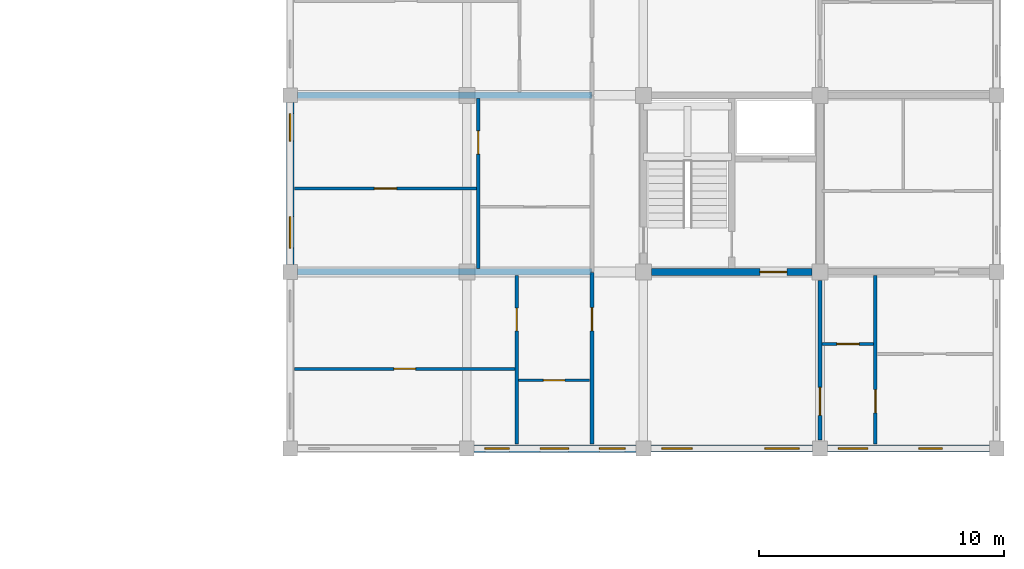
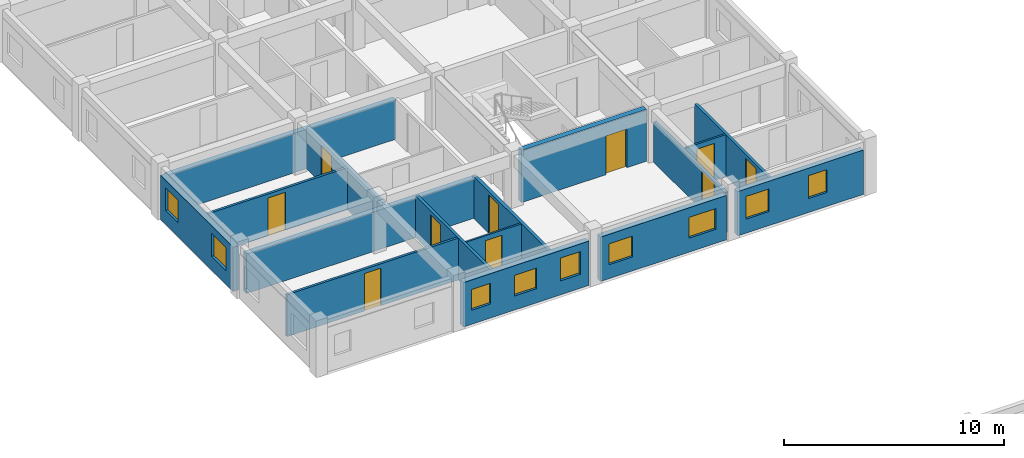
# One storey, part 29 of 50: 16 walls, 10 doors, 9 windows, 19 openings.
"""IFC4 building model written with IfcOpenShell, lengths in metres."""

from ifc_helpers import new_model, si_unit, direction, frame, frame_2d, origin, place, context, subcontext, project, spatial, rectangle, extrude, material, layer, layer_set, type_object, element, fill, save


model = new_model("IFC4")

# Units and contexts
model_context = context("Model", 3, precision=1e-05, world=origin(), true_north=direction((0.0, 1.0)))
body_context = subcontext(model_context, "Body", "Model", "MODEL_VIEW")
ifc_project = project(units=[si_unit("LENGTHUNIT", "METRE"), si_unit("AREAUNIT", "SQUARE_METRE"), si_unit("VOLUMEUNIT", "CUBIC_METRE"), si_unit("PLANEANGLEUNIT", "RADIAN"), si_unit("MASSUNIT", "GRAM", prefix="KILO"), si_unit("THERMODYNAMICTEMPERATUREUNIT", "KELVIN"), si_unit("POWERUNIT", "WATT")], contexts=[model_context])

# Site, building, storey
site_placement = place(None, origin())
site = spatial("IfcSite", under=ifc_project, at=site_placement, CompositionType="ELEMENT")
building_placement = place(site_placement, origin())
building = spatial("IfcBuilding", under=site, at=building_placement, Name="Tavuni Mirador Residences", CompositionType="ELEMENT")
storey_placement = place(building_placement, frame((0.0, 0.0, 4.5)))
storey = spatial("IfcBuildingStorey", under=building, at=storey_placement, Name="L01", CompositionType="ELEMENT", Elevation=4.5)

# Wall, opening, door
ifc_material_1 = material(Name="Precast concrete C40/50", Category="concrete")
ifc_layer_1 = layer(ifc_material_1, 0.280029296875, Name="Precast concrete C40/50", Category="concrete")
ifc_layer_set_1 = layer_set([ifc_layer_1], Name="Precast concrete C40/50")
wall_type_1 = type_object("IfcWallType", Name="WT-COR280", PredefinedType="SHEAR", material=ifc_layer_set_1)
wall_1_placement = place(storey_placement, frame((104.72509765625, 93.60009765625, 0.0), z_axis=(0.0, 0.0, 1.0), x_axis=(1.0, 0.0, 0.0)))
wall_1 = element("IfcWall", 1, at=wall_1_placement, inside=storey, type_object=wall_type_1, Name="CWALL-C7-L01-SS", PredefinedType="SHEAR", context=body_context, shape_type="SweptSolid", body=[
    extrude(rectangle(XDim=6.5498046875, YDim=0.280029296875, at=frame_2d((3.27490234375, 0.0))), origin(), (0.0, 0.0, 1.0), 2.889892578125),
])
opening_1_placement = place(wall_1_placement, frame((4.425048828125, 0.0, 0.0)))
opening_1 = element("IfcOpeningElement", 2, at=opening_1_placement, cuts=wall_1, Name="Opening D-02", PredefinedType="OPENING", context=body_context, shape_type="SweptSolid", body=[
    extrude(rectangle(XDim=1.10009765625, YDim=2.14990234375, at=frame_2d((0.550048828125, 1.074951171875))), frame((0.0, 0.14990234375, 0.0), z_axis=(0.0, -1.0, 0.0), x_axis=(1.0, 0.0, 0.0)), (0.0, 0.0, 1.0), 0.300048828125),
])
ifc_material_2 = material(Name="Solid core iroko timber", Category="wood")
door_type_1 = type_object("IfcDoorType", Name="DT-LOB1100", OperationType="NOTDEFINED", PredefinedType="DOOR", material=ifc_material_2)
door_1_placement = place(opening_1_placement, frame((1.10009765625, 0.0, 0.0), z_axis=(0.0, 0.0, 1.0), x_axis=(-1.0, 0.0, 0.0)))
door_1 = element("IfcDoor", 3, at=door_1_placement, inside=storey, type_object=door_type_1, Name="DR-2270", OperationType="SINGLE_SWING_RIGHT", OverallHeight=2.14990234375, OverallWidth=1.10009765625, PredefinedType="DOOR", context=body_context, shape_type="SweptSolid", body=[
    extrude(rectangle(XDim=1.10009765625, YDim=2.14990234375, at=frame_2d((0.550048828125, 1.074951171875))), frame((0.0, 0.02490234375, 0.0), z_axis=(0.0, -1.0, 0.0), x_axis=(1.0, 0.0, 0.0)), (0.0, 0.0, 1.0), 0.050048828125),
])
fill(opening_1, door_1)

ifc_layer_2 = layer(ifc_material_1, 0.1650390625, Name="Precast concrete C40/50", Category="concrete")
ifc_layer_set_2 = layer_set([ifc_layer_2], Name="Precast concrete C40/50")
wall_type_2 = type_object("IfcWallType", Name="WT-CORR165", PredefinedType="PARTITIONING", material=ifc_layer_set_2)
wall_2_placement = place(storey_placement, frame((102.300048828125, 86.574951171875, 0.0), z_axis=(0.0, 0.0, 1.0), x_axis=(0.0, 1.0, 0.0)))
wall_2 = element("IfcWall", 4, at=wall_2_placement, inside=storey, type_object=wall_type_2, Name="CORW-BLK-D-L01-0-00", PredefinedType="PARTITIONING", context=body_context, shape_type="SweptSolid", body=[
    extrude(rectangle(XDim=7.005126953125, YDim=0.1650390625, at=frame_2d((3.50244140625, 0.0))), origin(), (0.0, 0.0, 1.0), 2.324951171875),
])
opening_2_placement = place(wall_2_placement, frame((4.625, 0.0, 0.0)))
opening_2 = element("IfcOpeningElement", 5, at=opening_2_placement, cuts=wall_2, Name="Opening D-19", PredefinedType="OPENING", context=body_context, shape_type="SweptSolid", body=[
    extrude(rectangle(XDim=0.93994140625, YDim=2.1201171875, at=frame_2d((0.469970703125, 1.06005859375))), frame((0.0, 0.092529296875, 0.0), z_axis=(0.0, -1.0, 0.0), x_axis=(1.0, 0.0, 0.0)), (0.0, 0.0, 1.0), 0.18505859375),
])
door_type_2 = type_object("IfcDoorType", Name="DT-FD60-940", OperationType="NOTDEFINED", PredefinedType="DOOR", material=ifc_material_2)
door_2_placement = place(opening_2_placement, origin())
door_2 = element("IfcDoor", 6, at=door_2_placement, inside=storey, type_object=door_type_2, Name="DR-2821", OperationType="SINGLE_SWING_RIGHT", OverallHeight=2.1201171875, OverallWidth=0.93994140625, PredefinedType="DOOR", context=body_context, shape_type="SweptSolid", body=[
    extrude(rectangle(XDim=0.93994140625, YDim=2.1201171875, at=frame_2d((0.469970703125, 1.06005859375))), frame((0.0, 0.02490234375, 0.0), z_axis=(0.0, -1.0, 0.0), x_axis=(1.0, 0.0, 0.0)), (0.0, 0.0, 1.0), 0.050048828125),
])
fill(opening_2, door_2)

wall_3_placement = place(storey_placement, frame((111.60009765625, 86.75, 0.0), z_axis=(0.0, 0.0, 1.0), x_axis=(0.0, 1.0, 0.0)))
wall_3 = element("IfcWall", 7, at=wall_3_placement, inside=storey, type_object=wall_type_2, Name="CORW-BLK-D-L01-1-00", PredefinedType="PARTITIONING", context=body_context, shape_type="SweptSolid", body=[
    extrude(rectangle(XDim=6.5, YDim=0.1650390625, at=frame_2d((3.25, 0.0))), origin(), (0.0, 0.0, 1.0), 2.239990234375),
])
opening_3_placement = place(wall_3_placement, frame((1.0, 0.0, 0.0)))
opening_3 = element("IfcOpeningElement", 8, at=opening_3_placement, cuts=wall_3, Name="Opening D-20", PredefinedType="OPENING", context=body_context, shape_type="SweptSolid", body=[
    extrude(rectangle(XDim=1.139892578125, YDim=2.179931640625, at=frame_2d((0.56982421875, 1.08984375))), frame((0.0, 0.092529296875, 0.0), z_axis=(0.0, -1.0, 0.0), x_axis=(1.0, 0.0, 0.0)), (0.0, 0.0, 1.0), 0.18505859375),
])
door_type_3 = type_object("IfcDoorType", Name="DT-FD60-1140", OperationType="NOTDEFINED", PredefinedType="DOOR", material=ifc_material_2)
door_3_placement = place(opening_3_placement, origin())
door_3 = element("IfcDoor", 9, at=door_3_placement, inside=storey, type_object=door_type_3, Name="DR-2828", OperationType="SINGLE_SWING_LEFT", OverallHeight=2.179931640625, OverallWidth=1.139892578125, PredefinedType="DOOR", context=body_context, shape_type="SweptSolid", body=[
    extrude(rectangle(XDim=1.139892578125, YDim=2.179931640625, at=frame_2d((0.56982421875, 1.08984375))), frame((0.0, 0.02490234375, 0.0), z_axis=(0.0, -1.0, 0.0), x_axis=(1.0, 0.0, 0.0)), (0.0, 0.0, 1.0), 0.050048828125),
])
fill(opening_3, door_3)

# Wall, openings, windows
ifc_material_3 = material(Name="Sgraffito lime-rendered precast concrete C40/50", Category="concrete")
ifc_layer_3 = layer(ifc_material_3, 0.27490234375, Name="Sgraffito lime-rendered precast concrete C40/50", Category="concrete")
ifc_layer_set_3 = layer_set([ifc_layer_3], Name="Sgraffito lime-rendered precast concrete C40/50")
wall_type_3 = type_object("IfcWallType", Name="WT-EXT-PC275", PredefinedType="SOLIDWALL", material=ifc_layer_set_3)
wall_4_placement = place(storey_placement, frame((111.89990234375, 86.39990234375, 0.0), z_axis=(0.0, 0.0, 1.0), x_axis=(1.0, 0.0, 0.0)))
wall_4 = element("IfcWall", 10, at=wall_4_placement, inside=storey, type_object=wall_type_3, Name="EW-BLK-D-L01-S03", PredefinedType="SOLIDWALL", context=body_context, shape_type="SweptSolid", body=[
    extrude(rectangle(XDim=6.60009765625, YDim=0.27490234375, at=frame_2d((3.300048828125, 0.0))), origin(), (0.0, 0.0, 1.0), 2.4599609375),
])
opening_4_placement = place(wall_4_placement, frame((0.449951171875, 0.0, 0.780029296875)))
opening_4 = element("IfcOpeningElement", 11, at=opening_4_placement, cuts=wall_4, Name="Opening WN-13", PredefinedType="OPENING", context=body_context, shape_type="SweptSolid", body=[
    extrude(rectangle(XDim=1.199951171875, YDim=1.260009765625, at=frame_2d((0.60009765625, 0.6298828125))), frame((0.0, 0.1474609375, 0.0), z_axis=(0.0, -1.0, 0.0), x_axis=(1.0, 0.0, 0.0)), (0.0, 0.0, 1.0), 0.294921875),
])
opening_5_placement = place(wall_4_placement, frame((3.72998046875, 0.0, 0.780029296875)))
opening_5 = element("IfcOpeningElement", 12, at=opening_5_placement, cuts=wall_4, Name="Opening WN-10", PredefinedType="OPENING", context=body_context, shape_type="SweptSolid", body=[
    extrude(rectangle(XDim=0.9599609375, YDim=1.260009765625, at=frame_2d((0.47998046875, 0.6298828125))), frame((0.0, 0.1474609375, 0.0), z_axis=(0.0, -1.0, 0.0), x_axis=(1.0, 0.0, 0.0)), (0.0, 0.0, 1.0), 0.294921875),
])
ifc_material_4 = material(Name="Laminated solar-control glass", Category="glass")
window_type_1 = type_object("IfcWindowType", Name="WNT-10", PartitioningType="SINGLE_PANEL", PredefinedType="WINDOW", material=ifc_material_4)
window_1_placement = place(opening_5_placement, origin())
window_1 = element("IfcWindow", 13, at=window_1_placement, inside=storey, type_object=window_type_1, Name="WIN-1447", OverallHeight=1.260009765625, OverallWidth=0.9599609375, PartitioningType="SINGLE_PANEL", PredefinedType="WINDOW", context=body_context, shape_type="SweptSolid", body=[
    extrude(rectangle(XDim=0.9599609375, YDim=1.260009765625, at=frame_2d((0.47998046875, 0.6298828125))), frame((0.0, 0.030029296875, 0.0), z_axis=(0.0, -1.0, 0.0), x_axis=(1.0, 0.0, 0.0)), (0.0, 0.0, 1.0), 0.06005859375),
])
fill(opening_5, window_1)
window_type_2 = type_object("IfcWindowType", Name="WNT-13", PartitioningType="SINGLE_PANEL", PredefinedType="WINDOW", material=ifc_material_4)
window_2_placement = place(opening_4_placement, origin())
window_2 = element("IfcWindow", 14, at=window_2_placement, inside=storey, type_object=window_type_2, Name="WIN-1446", OverallHeight=1.260009765625, OverallWidth=1.199951171875, PartitioningType="SINGLE_PANEL", PredefinedType="WINDOW", context=body_context, shape_type="SweptSolid", body=[
    extrude(rectangle(XDim=1.199951171875, YDim=1.260009765625, at=frame_2d((0.60009765625, 0.6298828125))), frame((0.0, 0.030029296875, 0.0), z_axis=(0.0, -1.0, 0.0), x_axis=(1.0, 0.0, 0.0)), (0.0, 0.0, 1.0), 0.06005859375),
])
fill(opening_4, window_2)

ifc_layer_4 = layer(ifc_material_3, 0.2900390625, Name="Sgraffito lime-rendered precast concrete C40/50", Category="concrete")
ifc_layer_set_4 = layer_set([ifc_layer_4], Name="Sgraffito lime-rendered precast concrete C40/50")
wall_type_4 = type_object("IfcWallType", Name="WT-EXT-PC290", PredefinedType="SOLIDWALL", material=ifc_layer_set_4)
wall_5_placement = place(storey_placement, frame((104.699951171875, 86.39990234375, 0.0), z_axis=(0.0, 0.0, 1.0), x_axis=(1.0, 0.0, 0.0)))
wall_5 = element("IfcWall", 15, at=wall_5_placement, inside=storey, type_object=wall_type_4, Name="EW-BLK-D-L01-S02", PredefinedType="SOLIDWALL", context=body_context, shape_type="SweptSolid", body=[
    extrude(rectangle(XDim=6.60009765625, YDim=0.2900390625, at=frame_2d((3.300048828125, 0.0))), origin(), (0.0, 0.0, 1.0), 2.4599609375),
])
opening_6_placement = place(wall_5_placement, frame((0.449951171875, 0.0, 0.780029296875)))
opening_6 = element("IfcOpeningElement", 16, at=opening_6_placement, cuts=wall_5, Name="Opening WN-06", PredefinedType="OPENING", context=body_context, shape_type="SweptSolid", body=[
    extrude(rectangle(XDim=1.239990234375, YDim=1.14990234375, at=frame_2d((0.6201171875, 0.574951171875))), frame((0.0, 0.155029296875, 0.0), z_axis=(0.0, -1.0, 0.0), x_axis=(1.0, 0.0, 0.0)), (0.0, 0.0, 1.0), 0.31005859375),
])
opening_7_placement = place(wall_5_placement, frame((4.64990234375, 0.0, 0.780029296875)))
opening_7 = element("IfcOpeningElement", 17, at=opening_7_placement, cuts=wall_5, Name="Opening WN-08", PredefinedType="OPENING", context=body_context, shape_type="SweptSolid", body=[
    extrude(rectangle(XDim=1.39990234375, YDim=1.14990234375, at=frame_2d((0.699951171875, 0.574951171875))), frame((0.0, 0.155029296875, 0.0), z_axis=(0.0, -1.0, 0.0), x_axis=(1.0, 0.0, 0.0)), (0.0, 0.0, 1.0), 0.31005859375),
])
window_type_3 = type_object("IfcWindowType", Name="WNT-06", PartitioningType="SINGLE_PANEL", PredefinedType="WINDOW", material=ifc_material_4)
window_3_placement = place(opening_6_placement, origin())
window_3 = element("IfcWindow", 18, at=window_3_placement, inside=storey, type_object=window_type_3, Name="WIN-1444", OverallHeight=1.14990234375, OverallWidth=1.239990234375, PartitioningType="SINGLE_PANEL", PredefinedType="WINDOW", context=body_context, shape_type="SweptSolid", body=[
    extrude(rectangle(XDim=1.239990234375, YDim=1.14990234375, at=frame_2d((0.6201171875, 0.574951171875))), frame((0.0, 0.030029296875, 0.0), z_axis=(0.0, -1.0, 0.0), x_axis=(1.0, 0.0, 0.0)), (0.0, 0.0, 1.0), 0.06005859375),
])
fill(opening_6, window_3)
window_type_4 = type_object("IfcWindowType", Name="WNT-08", PartitioningType="SINGLE_PANEL", PredefinedType="WINDOW", material=ifc_material_4)
window_4_placement = place(opening_7_placement, origin())
window_4 = element("IfcWindow", 19, at=window_4_placement, inside=storey, type_object=window_type_4, Name="WIN-1445", OverallHeight=1.14990234375, OverallWidth=1.39990234375, PartitioningType="SINGLE_PANEL", PredefinedType="WINDOW", context=body_context, shape_type="SweptSolid", body=[
    extrude(rectangle(XDim=1.39990234375, YDim=1.14990234375, at=frame_2d((0.699951171875, 0.574951171875))), frame((0.0, 0.030029296875, 0.0), z_axis=(0.0, -1.0, 0.0), x_axis=(1.0, 0.0, 0.0)), (0.0, 0.0, 1.0), 0.06005859375),
])
fill(opening_7, window_4)

ifc_layer_5 = layer(ifc_material_3, 0.304931640625, Name="Sgraffito lime-rendered precast concrete C40/50", Category="concrete")
ifc_layer_set_5 = layer_set([ifc_layer_5], Name="Sgraffito lime-rendered precast concrete C40/50")
wall_type_5 = type_object("IfcWallType", Name="WT-EXT-PC305", PredefinedType="SOLIDWALL", material=ifc_layer_set_5)
wall_6_placement = place(storey_placement, frame((97.5, 86.39990234375, 0.0), z_axis=(0.0, 0.0, 1.0), x_axis=(1.0, 0.0, 0.0)))
wall_6 = element("IfcWall", 20, at=wall_6_placement, inside=storey, type_object=wall_type_5, Name="EW-BLK-D-L01-S01", PredefinedType="SOLIDWALL", context=body_context, shape_type="SweptSolid", body=[
    extrude(rectangle(XDim=6.60009765625, YDim=0.304931640625, at=frame_2d((3.300048828125, 0.0))), origin(), (0.0, 0.0, 1.0), 2.4599609375),
])
opening_8_placement = place(wall_6_placement, frame((0.43994140625, 0.0, 0.780029296875)))
opening_8 = element("IfcOpeningElement", 21, at=opening_8_placement, cuts=wall_6, Name="Opening WN-03", PredefinedType="OPENING", context=body_context, shape_type="SweptSolid", body=[
    extrude(rectangle(XDim=1.0, YDim=1.14990234375, at=frame_2d((0.5, 0.574951171875))), frame((0.0, 0.16259765625, 0.0), z_axis=(0.0, -1.0, 0.0), x_axis=(1.0, 0.0, 0.0)), (0.0, 0.0, 1.0), 0.324951171875),
])
opening_9_placement = place(wall_6_placement, frame((2.68994140625, 0.0, 0.780029296875)))
opening_9 = element("IfcOpeningElement", 22, at=opening_9_placement, cuts=wall_6, Name="Opening WN-05", PredefinedType="OPENING", context=body_context, shape_type="SweptSolid", body=[
    extrude(rectangle(XDim=1.159912109375, YDim=1.14990234375, at=frame_2d((0.580078125, 0.574951171875))), frame((0.0, 0.16259765625, 0.0), z_axis=(0.0, -1.0, 0.0), x_axis=(1.0, 0.0, 0.0)), (0.0, 0.0, 1.0), 0.324951171875),
])
opening_10_placement = place(wall_6_placement, frame((5.110107421875, 0.0, 0.780029296875)))
opening_10 = element("IfcOpeningElement", 23, at=opening_10_placement, cuts=wall_6, Name="Opening WN-11", PredefinedType="OPENING", context=body_context, shape_type="SweptSolid", body=[
    extrude(rectangle(XDim=1.0400390625, YDim=1.260009765625, at=frame_2d((0.52001953125, 0.6298828125))), frame((0.0, 0.16259765625, 0.0), z_axis=(0.0, -1.0, 0.0), x_axis=(1.0, 0.0, 0.0)), (0.0, 0.0, 1.0), 0.324951171875),
])
window_type_5 = type_object("IfcWindowType", Name="WNT-03", PartitioningType="SINGLE_PANEL", PredefinedType="WINDOW", material=ifc_material_4)
window_5_placement = place(opening_8_placement, origin())
window_5 = element("IfcWindow", 24, at=window_5_placement, inside=storey, type_object=window_type_5, Name="WIN-1441", OverallHeight=1.14990234375, OverallWidth=1.0, PartitioningType="SINGLE_PANEL", PredefinedType="WINDOW", context=body_context, shape_type="SweptSolid", body=[
    extrude(rectangle(XDim=1.0, YDim=1.14990234375, at=frame_2d((0.5, 0.574951171875))), frame((0.0, 0.030029296875, 0.0), z_axis=(0.0, -1.0, 0.0), x_axis=(1.0, 0.0, 0.0)), (0.0, 0.0, 1.0), 0.06005859375),
])
fill(opening_8, window_5)
window_type_6 = type_object("IfcWindowType", Name="WNT-05", PartitioningType="SINGLE_PANEL", PredefinedType="WINDOW", material=ifc_material_4)
window_6_placement = place(opening_9_placement, origin())
window_6 = element("IfcWindow", 25, at=window_6_placement, inside=storey, type_object=window_type_6, Name="WIN-1442", OverallHeight=1.14990234375, OverallWidth=1.159912109375, PartitioningType="SINGLE_PANEL", PredefinedType="WINDOW", context=body_context, shape_type="SweptSolid", body=[
    extrude(rectangle(XDim=1.159912109375, YDim=1.14990234375, at=frame_2d((0.580078125, 0.574951171875))), frame((0.0, 0.030029296875, 0.0), z_axis=(0.0, -1.0, 0.0), x_axis=(1.0, 0.0, 0.0)), (0.0, 0.0, 1.0), 0.06005859375),
])
fill(opening_9, window_6)
window_type_7 = type_object("IfcWindowType", Name="WNT-11", PartitioningType="SINGLE_PANEL", PredefinedType="WINDOW", material=ifc_material_4)
window_7_placement = place(opening_10_placement, origin())
window_7 = element("IfcWindow", 26, at=window_7_placement, inside=storey, type_object=window_type_7, Name="WIN-1443", OverallHeight=1.260009765625, OverallWidth=1.0400390625, PartitioningType="SINGLE_PANEL", PredefinedType="WINDOW", context=body_context, shape_type="SweptSolid", body=[
    extrude(rectangle(XDim=1.0400390625, YDim=1.260009765625, at=frame_2d((0.52001953125, 0.6298828125))), frame((0.0, 0.030029296875, 0.0), z_axis=(0.0, -1.0, 0.0), x_axis=(1.0, 0.0, 0.0)), (0.0, 0.0, 1.0), 0.06005859375),
])
fill(opening_10, window_7)

wall_7_placement = place(storey_placement, frame((90.0, 100.5, 0.0), z_axis=(0.0, 0.0, 1.0), x_axis=(0.0, -1.0, 0.0)))
wall_7 = element("IfcWall", 27, at=wall_7_placement, inside=storey, type_object=wall_type_5, Name="EW-BLK-D-L01-W01", PredefinedType="SOLIDWALL", context=body_context, shape_type="SweptSolid", body=[
    extrude(rectangle(XDim=6.60009765625, YDim=0.304931640625, at=frame_2d((3.300048828125, 0.0))), origin(), (0.0, 0.0, 1.0), 2.4599609375),
])
opening_11_placement = place(wall_7_placement, frame((0.449951171875, 0.0, 0.780029296875)))
opening_11 = element("IfcOpeningElement", 28, at=opening_11_placement, cuts=wall_7, Name="Opening WN-12", PredefinedType="OPENING", context=body_context, shape_type="SweptSolid", body=[
    extrude(rectangle(XDim=1.1201171875, YDim=1.260009765625, at=frame_2d((0.56005859375, 0.6298828125))), frame((0.0, 0.16259765625, 0.0), z_axis=(0.0, -1.0, 0.0), x_axis=(1.0, 0.0, 0.0)), (0.0, 0.0, 1.0), 0.324951171875),
])
opening_12_placement = place(wall_7_placement, frame((4.64990234375, 0.0, 0.780029296875)))
opening_12 = element("IfcOpeningElement", 29, at=opening_12_placement, cuts=wall_7, Name="Opening WN-14", PredefinedType="OPENING", context=body_context, shape_type="SweptSolid", body=[
    extrude(rectangle(XDim=1.280029296875, YDim=1.260009765625, at=frame_2d((0.64013671875, 0.6298828125))), frame((0.0, 0.16259765625, 0.0), z_axis=(0.0, -1.0, 0.0), x_axis=(1.0, 0.0, 0.0)), (0.0, 0.0, 1.0), 0.324951171875),
])
window_type_8 = type_object("IfcWindowType", Name="WNT-12", PartitioningType="SINGLE_PANEL", PredefinedType="WINDOW", material=ifc_material_4)
window_8_placement = place(opening_11_placement, origin())
window_8 = element("IfcWindow", 30, at=window_8_placement, inside=storey, type_object=window_type_8, Name="WIN-1480", OverallHeight=1.260009765625, OverallWidth=1.1201171875, PartitioningType="SINGLE_PANEL", PredefinedType="WINDOW", context=body_context, shape_type="SweptSolid", body=[
    extrude(rectangle(XDim=1.1201171875, YDim=1.260009765625, at=frame_2d((0.56005859375, 0.6298828125))), frame((0.0, 0.030029296875, 0.0), z_axis=(0.0, -1.0, 0.0), x_axis=(1.0, 0.0, 0.0)), (0.0, 0.0, 1.0), 0.06005859375),
])
fill(opening_11, window_8)
window_type_9 = type_object("IfcWindowType", Name="WNT-14", PartitioningType="SINGLE_PANEL", PredefinedType="WINDOW", material=ifc_material_4)
window_9_placement = place(opening_12_placement, origin())
window_9 = element("IfcWindow", 31, at=window_9_placement, inside=storey, type_object=window_type_9, Name="WIN-1481", OverallHeight=1.260009765625, OverallWidth=1.280029296875, PartitioningType="SINGLE_PANEL", PredefinedType="WINDOW", context=body_context, shape_type="SweptSolid", body=[
    extrude(rectangle(XDim=1.280029296875, YDim=1.260009765625, at=frame_2d((0.64013671875, 0.6298828125))), frame((0.0, 0.030029296875, 0.0), z_axis=(0.0, -1.0, 0.0), x_axis=(1.0, 0.0, 0.0)), (0.0, 0.0, 1.0), 0.06005859375),
])
fill(opening_12, window_9)

# Wall, opening, door
ifc_material_5 = material(Name="Acoustic gypsum and concrete block partition", Category="concrete")
ifc_layer_6 = layer(ifc_material_5, 0.094970703125, Name="Acoustic gypsum and concrete block partition", Category="concrete")
ifc_layer_set_6 = layer_set([ifc_layer_6], Name="Acoustic gypsum and concrete block partition")
wall_type_6 = type_object("IfcWallType", Name="WT-PART095", PredefinedType="PARTITIONING", material=ifc_layer_set_6)
wall_8_placement = place(storey_placement, frame((99.31005859375, 89.179931640625, 0.0), z_axis=(0.0, 0.0, 1.0), x_axis=(1.0, 0.0, 0.0)))
wall_8 = element("IfcWall", 32, at=wall_8_placement, inside=storey, type_object=wall_type_6, Name="PW-BLK-D-L01-W00-IN1", PredefinedType="PARTITIONING", context=body_context, shape_type="SweptSolid", body=[
    extrude(rectangle(XDim=2.89990234375, YDim=0.094970703125, at=frame_2d((1.449951171875, 0.0))), origin(), (0.0, 0.0, 1.0), 2.324951171875),
])
opening_13_placement = place(wall_8_placement, frame((1.014892578125, 0.0, 0.0)))
opening_13 = element("IfcOpeningElement", 33, at=opening_13_placement, cuts=wall_8, Name="Opening D-10", PredefinedType="OPENING", context=body_context, shape_type="SweptSolid", body=[
    extrude(rectangle(XDim=0.8701171875, YDim=2.050048828125, at=frame_2d((0.43505859375, 1.02490234375))), frame((0.0, 0.0576171875, 0.0), z_axis=(0.0, -1.0, 0.0), x_axis=(1.0, 0.0, 0.0)), (0.0, 0.0, 1.0), 0.114990234375),
])
door_type_4 = type_object("IfcDoorType", Name="DT-WC870", OperationType="NOTDEFINED", PredefinedType="DOOR", material=ifc_material_2)
door_4_placement = place(opening_13_placement, origin())
door_4 = element("IfcDoor", 34, at=door_4_placement, inside=storey, type_object=door_type_4, Name="DR-4314", OperationType="SINGLE_SWING_LEFT", OverallHeight=2.050048828125, OverallWidth=0.8701171875, PredefinedType="DOOR", context=body_context, shape_type="SweptSolid", body=[
    extrude(rectangle(XDim=0.8701171875, YDim=2.050048828125, at=frame_2d((0.43505859375, 1.02490234375))), frame((0.0, 0.02490234375, 0.0), z_axis=(0.0, -1.0, 0.0), x_axis=(1.0, 0.0, 0.0)), (0.0, 0.0, 1.0), 0.050048828125),
])
fill(opening_13, door_4)

ifc_layer_7 = layer(ifc_material_5, 0.10498046875, Name="Acoustic gypsum and concrete block partition", Category="concrete")
ifc_layer_set_7 = layer_set([ifc_layer_7], Name="Acoustic gypsum and concrete block partition")
wall_type_7 = type_object("IfcWallType", Name="WT-PART105", PredefinedType="PARTITIONING", material=ifc_layer_set_7)
wall_9_placement = place(storey_placement, frame((111.68994140625, 90.659912109375, 0.0), z_axis=(0.0, 0.0, 1.0), x_axis=(1.0, 0.0, 0.0)))
wall_9 = element("IfcWall", 35, at=wall_9_placement, inside=storey, type_object=wall_type_7, Name="PW-BLK-D-L01-E00-IN1", PredefinedType="PARTITIONING", context=body_context, shape_type="SweptSolid", body=[
    extrude(rectangle(XDim=2.10009765625, YDim=0.10498046875, at=frame_2d((1.050048828125, 0.0))), origin(), (0.0, 0.0, 1.0), 2.324951171875),
])
opening_14_placement = place(wall_9_placement, frame((0.60009765625, 0.0, 0.0)))
opening_14 = element("IfcOpeningElement", 36, at=opening_14_placement, cuts=wall_9, Name="Opening D-09", PredefinedType="OPENING", context=body_context, shape_type="SweptSolid", body=[
    extrude(rectangle(XDim=0.89990234375, YDim=2.050048828125, at=frame_2d((0.449951171875, 1.02490234375))), frame((0.0, 0.0625, 0.0), z_axis=(0.0, -1.0, 0.0), x_axis=(1.0, 0.0, 0.0)), (0.0, 0.0, 1.0), 0.125),
])
door_type_5 = type_object("IfcDoorType", Name="DT-WC900", OperationType="NOTDEFINED", PredefinedType="DOOR", material=ifc_material_2)
door_5_placement = place(opening_14_placement, origin())
door_5 = element("IfcDoor", 37, at=door_5_placement, inside=storey, type_object=door_type_5, Name="DR-4317", OperationType="SINGLE_SWING_RIGHT", OverallHeight=2.050048828125, OverallWidth=0.89990234375, PredefinedType="DOOR", context=body_context, shape_type="SweptSolid", body=[
    extrude(rectangle(XDim=0.89990234375, YDim=2.050048828125, at=frame_2d((0.449951171875, 1.02490234375))), frame((0.0, 0.02490234375, 0.0), z_axis=(0.0, -1.0, 0.0), x_axis=(1.0, 0.0, 0.0)), (0.0, 0.0, 1.0), 0.050048828125),
])
fill(opening_14, door_5)

ifc_layer_8 = layer(ifc_material_5, 0.125, Name="Acoustic gypsum and concrete block partition", Category="concrete")
ifc_layer_set_8 = layer_set([ifc_layer_8], Name="Acoustic gypsum and concrete block partition")
wall_type_8 = type_object("IfcWallType", Name="WT-PART125", PredefinedType="PARTITIONING", material=ifc_layer_set_8)
wall_10_placement = place(storey_placement, frame((90.175048828125, 89.64990234375, 0.0), z_axis=(0.0, 0.0, 1.0), x_axis=(1.0, 0.0, 0.0)))
wall_10 = element("IfcWall", 38, at=wall_10_placement, inside=storey, type_object=wall_type_8, Name="PW-BLK-D-L01-W00-OUT", PredefinedType="PARTITIONING", context=body_context, shape_type="SweptSolid", body=[
    extrude(rectangle(XDim=8.994873046875, YDim=0.125, at=frame_2d((4.49755859375, 0.0))), origin(), (0.0, 0.0, 1.0), 2.324951171875),
])
opening_15_placement = place(wall_10_placement, frame((4.0576171875, 0.0, 0.0)))
opening_15 = element("IfcOpeningElement", 39, at=opening_15_placement, cuts=wall_10, Name="Opening D-08", PredefinedType="OPENING", context=body_context, shape_type="SweptSolid", body=[
    extrude(rectangle(XDim=0.8798828125, YDim=2.080078125, at=frame_2d((0.43994140625, 1.0400390625))), frame((0.0, 0.072509765625, 0.0), z_axis=(0.0, -1.0, 0.0), x_axis=(1.0, 0.0, 0.0)), (0.0, 0.0, 1.0), 0.14501953125),
])
door_type_6 = type_object("IfcDoorType", Name="DT-BED880", OperationType="NOTDEFINED", PredefinedType="DOOR", material=ifc_material_2)
door_6_placement = place(opening_15_placement, origin())
door_6 = element("IfcDoor", 40, at=door_6_placement, inside=storey, type_object=door_type_6, Name="DR-4313", OperationType="SINGLE_SWING_RIGHT", OverallHeight=2.080078125, OverallWidth=0.8798828125, PredefinedType="DOOR", context=body_context, shape_type="SweptSolid", body=[
    extrude(rectangle(XDim=0.8798828125, YDim=2.080078125, at=frame_2d((0.43994140625, 1.0400390625))), frame((0.0, 0.02490234375, 0.0), z_axis=(0.0, -1.0, 0.0), x_axis=(1.0, 0.0, 0.0)), (0.0, 0.0, 1.0), 0.050048828125),
])
fill(opening_15, door_6)

wall_11_placement = place(storey_placement, frame((90.175048828125, 97.0, 0.0), z_axis=(0.0, 0.0, 1.0), x_axis=(1.0, 0.0, 0.0)))
wall_11 = element("IfcWall", 41, at=wall_11_placement, inside=storey, type_object=wall_type_8, Name="PW-BLK-D-L01-W01-OUT", PredefinedType="PARTITIONING", context=body_context, shape_type="SweptSolid", body=[
    extrude(rectangle(XDim=7.425048828125, YDim=0.125, at=frame_2d((3.71240234375, 0.0))), origin(), (0.0, 0.0, 1.0), 2.324951171875),
])
opening_16_placement = place(wall_11_placement, frame((3.262451171875, 0.0, 0.0)))
opening_16 = element("IfcOpeningElement", 42, at=opening_16_placement, cuts=wall_11, Name="Opening D-07", PredefinedType="OPENING", context=body_context, shape_type="SweptSolid", body=[
    extrude(rectangle(XDim=0.89990234375, YDim=2.10009765625, at=frame_2d((0.449951171875, 1.050048828125))), frame((0.0, 0.072509765625, 0.0), z_axis=(0.0, -1.0, 0.0), x_axis=(1.0, 0.0, 0.0)), (0.0, 0.0, 1.0), 0.14501953125),
])
door_type_7 = type_object("IfcDoorType", Name="DT-BED900", OperationType="NOTDEFINED", PredefinedType="DOOR", material=ifc_material_2)
door_7_placement = place(opening_16_placement, origin())
door_7 = element("IfcDoor", 43, at=door_7_placement, inside=storey, type_object=door_type_7, Name="DR-4319", OperationType="SINGLE_SWING_LEFT", OverallHeight=2.10009765625, OverallWidth=0.89990234375, PredefinedType="DOOR", context=body_context, shape_type="SweptSolid", body=[
    extrude(rectangle(XDim=0.89990234375, YDim=2.10009765625, at=frame_2d((0.449951171875, 1.050048828125))), frame((0.0, 0.02490234375, 0.0), z_axis=(0.0, -1.0, 0.0), x_axis=(1.0, 0.0, 0.0)), (0.0, 0.0, 1.0), 0.050048828125),
])
fill(opening_16, door_7)

ifc_layer_9 = layer(ifc_material_5, 0.139892578125, Name="Acoustic gypsum and concrete block partition", Category="concrete")
ifc_layer_set_9 = layer_set([ifc_layer_9], Name="Acoustic gypsum and concrete block partition")
wall_type_9 = type_object("IfcWallType", Name="WT-PART140", PredefinedType="PARTITIONING", material=ifc_layer_set_9)
wall_12_placement = place(storey_placement, frame((113.860107421875, 86.574951171875, 0.0), z_axis=(0.0, 0.0, 1.0), x_axis=(0.0, 1.0, 0.0)))
wall_12 = element("IfcWall", 44, at=wall_12_placement, inside=storey, type_object=wall_type_9, Name="PW-BLK-D-L01-E00-MID", PredefinedType="PARTITIONING", context=body_context, shape_type="SweptSolid", body=[
    extrude(rectangle(XDim=6.885009765625, YDim=0.139892578125, at=frame_2d((3.4423828125, 0.0))), origin(), (0.0, 0.0, 1.0), 2.324951171875),
])
opening_17_placement = place(wall_12_placement, frame((1.27490234375, 0.0, 0.0)))
opening_17 = element("IfcOpeningElement", 45, at=opening_17_placement, cuts=wall_12, Name="Opening D-05", PredefinedType="OPENING", context=body_context, shape_type="SweptSolid", body=[
    extrude(rectangle(XDim=0.949951171875, YDim=2.10009765625, at=frame_2d((0.47509765625, 1.050048828125))), frame((0.0, 0.080078125, 0.0), z_axis=(0.0, -1.0, 0.0), x_axis=(1.0, 0.0, 0.0)), (0.0, 0.0, 1.0), 0.159912109375),
])
door_type_8 = type_object("IfcDoorType", Name="DT-INT950", OperationType="NOTDEFINED", PredefinedType="DOOR", material=ifc_material_2)
door_8_placement = place(opening_17_placement, origin())
door_8 = element("IfcDoor", 46, at=door_8_placement, inside=storey, type_object=door_type_8, Name="DR-4318", OperationType="SINGLE_SWING_LEFT", OverallHeight=2.10009765625, OverallWidth=0.949951171875, PredefinedType="DOOR", context=body_context, shape_type="SweptSolid", body=[
    extrude(rectangle(XDim=0.949951171875, YDim=2.10009765625, at=frame_2d((0.47509765625, 1.050048828125))), frame((0.0, 0.02490234375, 0.0), z_axis=(0.0, -1.0, 0.0), x_axis=(1.0, 0.0, 0.0)), (0.0, 0.0, 1.0), 0.050048828125),
])
fill(opening_17, door_8)

ifc_layer_10 = layer(ifc_material_5, 0.14990234375, Name="Acoustic gypsum and concrete block partition", Category="concrete")
ifc_layer_set_10 = layer_set([ifc_layer_10], Name="Acoustic gypsum and concrete block partition")
wall_type_10 = type_object("IfcWallType", Name="WT-PART150", PredefinedType="PARTITIONING", material=ifc_layer_set_10)
wall_13_placement = place(storey_placement, frame((99.239990234375, 86.574951171875, 0.0), z_axis=(0.0, 0.0, 1.0), x_axis=(0.0, 1.0, 0.0)))
wall_13 = element("IfcWall", 47, at=wall_13_placement, inside=storey, type_object=wall_type_10, Name="PW-BLK-D-L01-W00-MID", PredefinedType="PARTITIONING", context=body_context, shape_type="SweptSolid", body=[
    extrude(rectangle(XDim=6.885009765625, YDim=0.14990234375, at=frame_2d((3.4423828125, 0.0))), origin(), (0.0, 0.0, 1.0), 2.324951171875),
])
opening_18_placement = place(wall_13_placement, frame((4.625, 0.0, 0.0)))
opening_18 = element("IfcOpeningElement", 48, at=opening_18_placement, cuts=wall_13, Name="Opening D-06", PredefinedType="OPENING", context=body_context, shape_type="SweptSolid", body=[
    extrude(rectangle(XDim=0.919921875, YDim=2.10009765625, at=frame_2d((0.4599609375, 1.050048828125))), frame((0.0, 0.0849609375, 0.0), z_axis=(0.0, -1.0, 0.0), x_axis=(1.0, 0.0, 0.0)), (0.0, 0.0, 1.0), 0.169921875),
])
door_type_9 = type_object("IfcDoorType", Name="DT-INT920", OperationType="NOTDEFINED", PredefinedType="DOOR", material=ifc_material_2)
door_9_placement = place(opening_18_placement, origin())
door_9 = element("IfcDoor", 49, at=door_9_placement, inside=storey, type_object=door_type_9, Name="DR-4315", OperationType="SINGLE_SWING_RIGHT", OverallHeight=2.10009765625, OverallWidth=0.919921875, PredefinedType="DOOR", context=body_context, shape_type="SweptSolid", body=[
    extrude(rectangle(XDim=0.919921875, YDim=2.10009765625, at=frame_2d((0.4599609375, 1.050048828125))), frame((0.0, 0.02490234375, 0.0), z_axis=(0.0, -1.0, 0.0), x_axis=(1.0, 0.0, 0.0)), (0.0, 0.0, 1.0), 0.050048828125),
])
fill(opening_18, door_9)

wall_14_placement = place(storey_placement, frame((97.669921875, 93.739990234375, 0.0), z_axis=(0.0, 0.0, 1.0), x_axis=(0.0, 1.0, 0.0)))
wall_14 = element("IfcWall", 50, at=wall_14_placement, inside=storey, type_object=wall_type_10, Name="PW-BLK-D-L01-W01-MID", PredefinedType="PARTITIONING", context=body_context, shape_type="SweptSolid", body=[
    extrude(rectangle(XDim=6.919921875, YDim=0.14990234375, at=frame_2d((3.4599609375, 0.0))), origin(), (0.0, 0.0, 1.0), 2.324951171875),
])
opening_19_placement = place(wall_14_placement, frame((4.659912109375, 0.0, 0.0)))
opening_19 = element("IfcOpeningElement", 51, at=opening_19_placement, cuts=wall_14, Name="Opening D-05", PredefinedType="OPENING", context=body_context, shape_type="SweptSolid", body=[
    extrude(rectangle(XDim=0.949951171875, YDim=2.10009765625, at=frame_2d((0.47509765625, 1.050048828125))), frame((0.0, 0.0849609375, 0.0), z_axis=(0.0, -1.0, 0.0), x_axis=(1.0, 0.0, 0.0)), (0.0, 0.0, 1.0), 0.169921875),
])
door_10_placement = place(opening_19_placement, origin())
door_10 = element("IfcDoor", 52, at=door_10_placement, inside=storey, type_object=door_type_8, Name="DR-4321", OperationType="SINGLE_SWING_LEFT", OverallHeight=2.10009765625, OverallWidth=0.949951171875, PredefinedType="DOOR", context=body_context, shape_type="SweptSolid", body=[
    extrude(rectangle(XDim=0.949951171875, YDim=2.10009765625, at=frame_2d((0.47509765625, 1.050048828125))), frame((0.0, 0.02490234375, 0.0), z_axis=(0.0, -1.0, 0.0), x_axis=(1.0, 0.0, 0.0)), (0.0, 0.0, 1.0), 0.050048828125),
])
fill(opening_19, door_10)

# Walls
ifc_layer_11 = layer(ifc_material_1, 0.264892578125, Name="Precast concrete C40/50", Category="concrete")
ifc_layer_set_11 = layer_set([ifc_layer_11], Name="Precast concrete C40/50")
wall_type_11 = type_object("IfcWallType", Name="WT-XW265", PredefinedType="SOLIDWALL", material=ifc_layer_set_11)
for number, where, z_axis, x_axis, name in (
    (53, (90.300048828125, 93.60009765625, 0.0), (0.0, 0.0, 1.0), (1.0, 0.0, 0.0), "XW-BLK-D-L01-W-01"),
    (54, (90.300048828125, 100.800048828125, 0.0), (0.0, 0.0, 1.0), (1.0, 0.0, 0.0), "XW-BLK-D-L01-W-02"),
):
    element("IfcWall", number, at=place(storey_placement, frame(where, z_axis=z_axis, x_axis=x_axis)), inside=storey, type_object=wall_type_11, Name=name, PredefinedType="SOLIDWALL", context=body_context, shape_type="SweptSolid", body=[
        extrude(rectangle(XDim=12.0, YDim=0.264892578125, at=frame_2d((6.0, 0.0))), origin(), (0.0, 0.0, 1.0), 2.18994140625),
    ])

save(model, "model.ifc")
